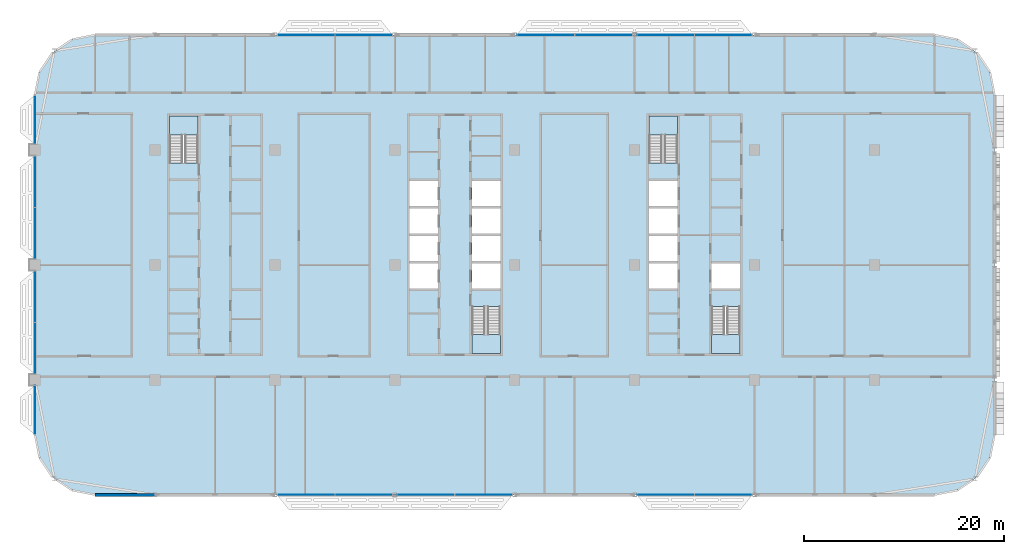
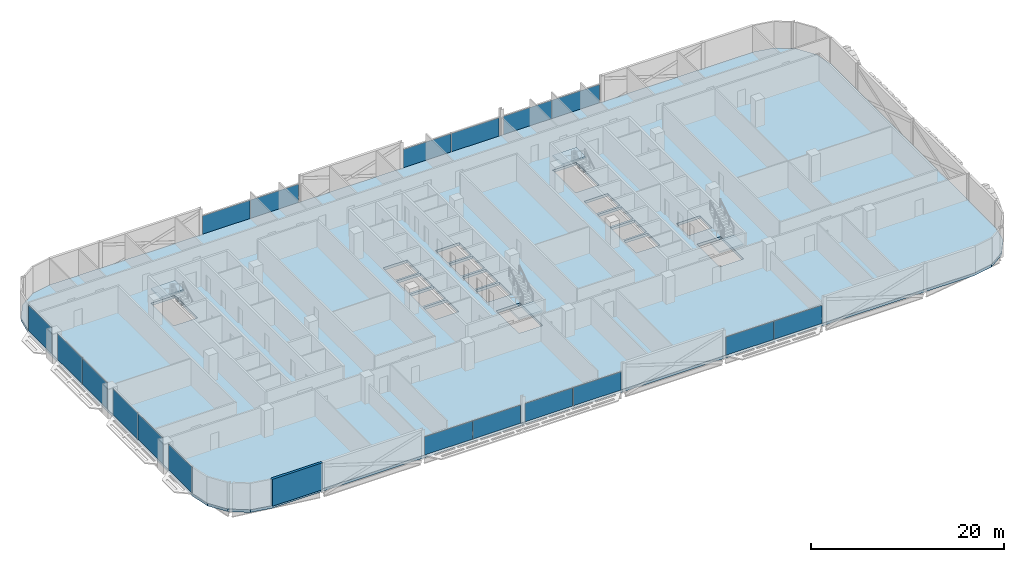
# One storey, part 12 of 30: 18 plates, 5 slabs, 1 wall, 14 elements without a shape of their own.
"""IFC4 building model written with IfcOpenShell, lengths in metres."""

from ifc_helpers import new_model, si_unit, direction, frame, frame_2d, origin, origin_2d, place, context, subcontext, project, spatial, polyline, rectangle, outline, extrude, material, layer, layer_set, type_object, element, aggregate, save


model = new_model("IFC4")

# Units and contexts
model_context = context("Model", 3, precision=1e-05, world=origin(), true_north=direction((0.0, 1.0)))
body_context = subcontext(model_context, "Body", "Model", "MODEL_VIEW")
ifc_project = project(units=[si_unit("LENGTHUNIT", "METRE"), si_unit("AREAUNIT", "SQUARE_METRE"), si_unit("VOLUMEUNIT", "CUBIC_METRE"), si_unit("PLANEANGLEUNIT", "RADIAN"), si_unit("MASSUNIT", "GRAM", prefix="KILO")], contexts=[model_context])

# Site, building, storey
site_placement = place(None, origin())
site = spatial("IfcSite", under=ifc_project, at=site_placement, CompositionType="ELEMENT")
building_placement = place(site_placement, origin())
building = spatial("IfcBuilding", under=site, at=building_placement, Name="Mahtab Terrace Research Tower", CompositionType="ELEMENT")
storey_placement = place(building_placement, frame((0.0, 0.0, 220.5)))
storey = spatial("IfcBuildingStorey", under=building, at=storey_placement, Name="L53", CompositionType="ELEMENT", Elevation=220.5)

# Stair, slab
ifc_material_1 = material(Name="Exit stair half-turn")
stair_type = type_object("IfcStairType", Name="Exit stair half-turn", PredefinedType="HALF_TURN_STAIR", material=ifc_material_1)
stair_1_placement = place(storey_placement, origin())
stair_1 = element("IfcStair", 1, at=stair_1_placement, inside=storey, type_object=stair_type, Name="L53 Protected exit stair ST1", PredefinedType="HALF_TURN_STAIR")
ifc_material_2 = material(Name="Concrete C40/50", Category="concrete")
ifc_layer_1 = layer(ifc_material_2, 0.199951171875)
ifc_layer_set_1 = layer_set([ifc_layer_1], Name="Exit stair landing 200")
slab_type_1 = type_object("IfcSlabType", Name="Exit stair landing 200", PredefinedType="LANDING", material=ifc_layer_set_1)
slab_1_placement = place(storey_placement, frame((0.0, 0.0, 1.699951171875)))
slab_1 = element("IfcSlab", 2, at=slab_1_placement, type_object=slab_type_1, Name="ST1 landing 1", PredefinedType="LANDING", context=body_context, shape_type="SweptSolid", body=[
    extrude(outline(polyline([(-25.699951171875, 12.97509765625), (-25.699951171875, 14.875), (-28.550048828125, 14.875), (-28.550048828125, 12.97509765625), (-25.699951171875, 12.97509765625)])), origin(), (0.0, 0.0, 1.0), 0.199951171875),
])
aggregate(stair_1, [slab_1])

stair_2_placement = place(storey_placement, origin())
stair_2 = element("IfcStair", 3, at=stair_2_placement, inside=storey, type_object=stair_type, Name="L53 Protected exit stair ST2", PredefinedType="HALF_TURN_STAIR")
slab_2_placement = place(storey_placement, frame((0.0, 0.0, 1.699951171875)))
slab_2 = element("IfcSlab", 4, at=slab_2_placement, type_object=slab_type_1, Name="ST2 landing 1", PredefinedType="LANDING", context=body_context, shape_type="SweptSolid", body=[
    extrude(outline(polyline([(1.699951171875, -6.97509765625), (1.699951171875, -8.875), (4.550048828125, -8.875), (4.550048828125, -6.97509765625), (1.699951171875, -6.97509765625)])), origin(), (0.0, 0.0, 1.0), 0.199951171875),
])
aggregate(stair_2, [slab_2])

stair_3_placement = place(storey_placement, origin())
stair_3 = element("IfcStair", 5, at=stair_3_placement, inside=storey, type_object=stair_type, Name="L53 Protected exit stair ST3", PredefinedType="HALF_TURN_STAIR")
slab_3_placement = place(storey_placement, frame((0.0, 0.0, 1.699951171875)))
slab_3 = element("IfcSlab", 6, at=slab_3_placement, type_object=slab_type_1, Name="ST3 landing 1", PredefinedType="LANDING", context=body_context, shape_type="SweptSolid", body=[
    extrude(outline(polyline([(22.300048828125, 12.97509765625), (22.300048828125, 14.875), (19.449951171875, 14.875), (19.449951171875, 12.97509765625), (22.300048828125, 12.97509765625)])), origin(), (0.0, 0.0, 1.0), 0.199951171875),
])
aggregate(stair_3, [slab_3])

stair_4_placement = place(storey_placement, origin())
stair_4 = element("IfcStair", 7, at=stair_4_placement, inside=storey, type_object=stair_type, Name="L53 Protected exit stair ST4", PredefinedType="HALF_TURN_STAIR")
slab_4_placement = place(storey_placement, frame((0.0, 0.0, 1.699951171875)))
slab_4 = element("IfcSlab", 8, at=slab_4_placement, type_object=slab_type_1, Name="ST4 landing 1", PredefinedType="LANDING", context=body_context, shape_type="SweptSolid", body=[
    extrude(outline(polyline([(25.699951171875, -6.97509765625), (25.699951171875, -8.875), (28.550048828125, -8.875), (28.550048828125, -6.97509765625), (25.699951171875, -6.97509765625)])), origin(), (0.0, 0.0, 1.0), 0.199951171875),
])
aggregate(stair_4, [slab_4])

# Curtain wall, plates
ifc_material_3 = material(Name="Laboratory ribbon curtain wall")
curtain_wall_type = type_object("IfcCurtainWallType", Name="Laboratory ribbon curtain wall", PredefinedType="NOTDEFINED", material=ifc_material_3)
curtain_wall_1_placement = place(storey_placement, origin())
curtain_wall_1 = element("IfcCurtainWall", 9, at=curtain_wall_1_placement, inside=storey, type_object=curtain_wall_type, Name="EN.L53.3.5", PredefinedType="NOTDEFINED")
ifc_material_4 = material(Name="Dark glazing", Category="glass")
ifc_layer_2 = layer(ifc_material_4, 0.031982421875)
ifc_layer_set_2 = layer_set([ifc_layer_2], Name="Laboratory ribbon curtain wall glazing panel")
plate_type = type_object("IfcPlateType", Name="Laboratory ribbon curtain wall glazing panel", PredefinedType="CURTAIN_PANEL", material=ifc_layer_set_2)
plate_1_placement = place(storey_placement, frame((26.8837890625, 23.0, 0.0), z_axis=(0.0, 0.0, 1.0), x_axis=(-1.0, 0.0, 0.0)))
plate_1 = element("IfcPlate", 10, at=plate_1_placement, type_object=plate_type, Name="CWL-6 panel 1", PredefinedType="CURTAIN_PANEL", context=body_context, shape_type="SweptSolid", body=[
    extrude(rectangle(XDim=5.702392578125, YDim=0.031982421875, at=origin_2d()), origin(), (0.0, 0.0, 1.0), 2.30126953125),
])
plate_2_placement = place(storey_placement, frame((21.1162109375, 23.0, 0.0), z_axis=(0.0, 0.0, 1.0), x_axis=(-1.0, 0.0, 0.0)))
plate_2 = element("IfcPlate", 11, at=plate_2_placement, type_object=plate_type, Name="CWL-6 panel 2", PredefinedType="CURTAIN_PANEL", context=body_context, shape_type="SweptSolid", body=[
    extrude(rectangle(XDim=5.702392578125, YDim=0.031982421875, at=origin_2d()), origin(), (0.0, 0.0, 1.0), 2.30126953125),
])
aggregate(curtain_wall_1, [plate_1, plate_2])

curtain_wall_2_placement = place(storey_placement, origin())
curtain_wall_2 = element("IfcCurtainWall", 12, at=curtain_wall_2_placement, inside=storey, type_object=curtain_wall_type, Name="EN.L53.3.6", PredefinedType="NOTDEFINED")
plate_3_placement = place(storey_placement, frame((14.8837890625, 23.0, 0.0), z_axis=(0.0, 0.0, 1.0), x_axis=(-1.0, 0.0, 0.0)))
plate_3 = element("IfcPlate", 13, at=plate_3_placement, type_object=plate_type, Name="CWL-6 panel 1", PredefinedType="CURTAIN_PANEL", context=body_context, shape_type="SweptSolid", body=[
    extrude(rectangle(XDim=5.702392578125, YDim=0.031982421875, at=origin_2d()), origin(), (0.0, 0.0, 1.0), 2.30126953125),
])
plate_4_placement = place(storey_placement, frame((9.1162109375, 23.0, 0.0), z_axis=(0.0, 0.0, 1.0), x_axis=(-1.0, 0.0, 0.0)))
plate_4 = element("IfcPlate", 14, at=plate_4_placement, type_object=plate_type, Name="CWL-6 panel 2", PredefinedType="CURTAIN_PANEL", context=body_context, shape_type="SweptSolid", body=[
    extrude(rectangle(XDim=5.702392578125, YDim=0.031982421875, at=origin_2d()), origin(), (0.0, 0.0, 1.0), 2.30126953125),
])
aggregate(curtain_wall_2, [plate_3, plate_4])

curtain_wall_3_placement = place(storey_placement, origin())
curtain_wall_3 = element("IfcCurtainWall", 15, at=curtain_wall_3_placement, inside=storey, type_object=curtain_wall_type, Name="EN.L53.3.8", PredefinedType="NOTDEFINED")
plate_5_placement = place(storey_placement, frame((-9.1162109375, 23.0, 0.0), z_axis=(0.0, 0.0, 1.0), x_axis=(-1.0, 0.0, 0.0)))
plate_5 = element("IfcPlate", 16, at=plate_5_placement, type_object=plate_type, Name="CWL-6 panel 1", PredefinedType="CURTAIN_PANEL", context=body_context, shape_type="SweptSolid", body=[
    extrude(rectangle(XDim=5.702392578125, YDim=0.031982421875, at=origin_2d()), origin(), (0.0, 0.0, 1.0), 2.30126953125),
])
plate_6_placement = place(storey_placement, frame((-14.8837890625, 23.0, 0.0), z_axis=(0.0, 0.0, 1.0), x_axis=(-1.0, 0.0, 0.0)))
plate_6 = element("IfcPlate", 17, at=plate_6_placement, type_object=plate_type, Name="CWL-6 panel 2", PredefinedType="CURTAIN_PANEL", context=body_context, shape_type="SweptSolid", body=[
    extrude(rectangle(XDim=5.702392578125, YDim=0.031982421875, at=origin_2d()), origin(), (0.0, 0.0, 1.0), 2.30126953125),
])
aggregate(curtain_wall_3, [plate_5, plate_6])

# Curtain wall, plate
curtain_wall_4_placement = place(storey_placement, origin())
curtain_wall_4 = element("IfcCurtainWall", 18, at=curtain_wall_4_placement, inside=storey, type_object=curtain_wall_type, Name="EN.L53.8.15", PredefinedType="NOTDEFINED")
plate_7_placement = place(storey_placement, frame((-42.0, 14.52490234375, 0.0), z_axis=(0.0, 0.0, 1.0), x_axis=(0.0, -1.0, 0.0)))
plate_7 = element("IfcPlate", 19, at=plate_7_placement, type_object=plate_type, Name="CWL-6 panel 1", PredefinedType="CURTAIN_PANEL", context=body_context, shape_type="SweptSolid", body=[
    extrude(rectangle(XDim=4.820068359375, YDim=0.031982421875, at=origin_2d()), origin(), (0.0, 0.0, 1.0), 3.300048828125),
])
aggregate(curtain_wall_4, [plate_7])

# Curtain wall, plates
curtain_wall_5_placement = place(storey_placement, origin())
curtain_wall_5 = element("IfcCurtainWall", 20, at=curtain_wall_5_placement, inside=storey, type_object=curtain_wall_type, Name="EN.L53.8.16", PredefinedType="NOTDEFINED")
plate_8_placement = place(storey_placement, frame((-42.0, 8.333740234375, 0.0), z_axis=(0.0, 0.0, 1.0), x_axis=(0.0, -1.0, 0.0)))
plate_8 = element("IfcPlate", 21, at=plate_8_placement, type_object=plate_type, Name="CWL-6 panel 1", PredefinedType="CURTAIN_PANEL", context=body_context, shape_type="SweptSolid", body=[
    extrude(rectangle(XDim=5.1025390625, YDim=0.031982421875, at=origin_2d()), origin(), (0.0, 0.0, 1.0), 3.300048828125),
])
plate_9_placement = place(storey_placement, frame((-42.0, 3.166259765625, 0.0), z_axis=(0.0, 0.0, 1.0), x_axis=(0.0, -1.0, 0.0)))
plate_9 = element("IfcPlate", 22, at=plate_9_placement, type_object=plate_type, Name="CWL-6 panel 2", PredefinedType="CURTAIN_PANEL", context=body_context, shape_type="SweptSolid", body=[
    extrude(rectangle(XDim=5.1025390625, YDim=0.031982421875, at=origin_2d()), origin(), (0.0, 0.0, 1.0), 3.300048828125),
])
aggregate(curtain_wall_5, [plate_8, plate_9])

curtain_wall_6_placement = place(storey_placement, origin())
curtain_wall_6 = element("IfcCurtainWall", 23, at=curtain_wall_6_placement, inside=storey, type_object=curtain_wall_type, Name="EN.L53.8.17", PredefinedType="NOTDEFINED")
plate_10_placement = place(storey_placement, frame((-42.0, -3.166259765625, 0.0), z_axis=(0.0, 0.0, 1.0), x_axis=(0.0, -1.0, 0.0)))
plate_10 = element("IfcPlate", 24, at=plate_10_placement, type_object=plate_type, Name="CWL-6 panel 1", PredefinedType="CURTAIN_PANEL", context=body_context, shape_type="SweptSolid", body=[
    extrude(rectangle(XDim=5.1025390625, YDim=0.031982421875, at=origin_2d()), origin(), (0.0, 0.0, 1.0), 3.300048828125),
])
plate_11_placement = place(storey_placement, frame((-42.0, -8.333740234375, 0.0), z_axis=(0.0, 0.0, 1.0), x_axis=(0.0, -1.0, 0.0)))
plate_11 = element("IfcPlate", 25, at=plate_11_placement, type_object=plate_type, Name="CWL-6 panel 2", PredefinedType="CURTAIN_PANEL", context=body_context, shape_type="SweptSolid", body=[
    extrude(rectangle(XDim=5.1025390625, YDim=0.031982421875, at=origin_2d()), origin(), (0.0, 0.0, 1.0), 3.300048828125),
])
aggregate(curtain_wall_6, [plate_10, plate_11])

# Curtain wall, plate
curtain_wall_7_placement = place(storey_placement, origin())
curtain_wall_7 = element("IfcCurtainWall", 26, at=curtain_wall_7_placement, inside=storey, type_object=curtain_wall_type, Name="EN.L53.8.18", PredefinedType="NOTDEFINED")
plate_12_placement = place(storey_placement, frame((-42.0, -14.52490234375, 0.0), z_axis=(0.0, 0.0, 1.0), x_axis=(0.0, -1.0, 0.0)))
plate_12 = element("IfcPlate", 27, at=plate_12_placement, type_object=plate_type, Name="CWL-6 panel 1", PredefinedType="CURTAIN_PANEL", context=body_context, shape_type="SweptSolid", body=[
    extrude(rectangle(XDim=4.820068359375, YDim=0.031982421875, at=origin_2d()), origin(), (0.0, 0.0, 1.0), 3.300048828125),
])
aggregate(curtain_wall_7, [plate_12])

# Curtain wall, plates
curtain_wall_8_placement = place(storey_placement, origin())
curtain_wall_8 = element("IfcCurtainWall", 28, at=curtain_wall_8_placement, inside=storey, type_object=curtain_wall_type, Name="EN.L53.13.25", PredefinedType="NOTDEFINED")
plate_13_placement = place(storey_placement, frame((-14.8837890625, -23.0, 0.0), z_axis=(0.0, 0.0, 1.0), x_axis=(1.0, 0.0, 0.0)))
plate_13 = element("IfcPlate", 29, at=plate_13_placement, type_object=plate_type, Name="CWL-6 panel 1", PredefinedType="CURTAIN_PANEL", context=body_context, shape_type="SweptSolid", body=[
    extrude(rectangle(XDim=5.702392578125, YDim=0.031982421875, at=origin_2d()), origin(), (0.0, 0.0, 1.0), 2.30126953125),
])
plate_14_placement = place(storey_placement, frame((-9.1162109375, -23.0, 0.0), z_axis=(0.0, 0.0, 1.0), x_axis=(1.0, 0.0, 0.0)))
plate_14 = element("IfcPlate", 30, at=plate_14_placement, type_object=plate_type, Name="CWL-6 panel 2", PredefinedType="CURTAIN_PANEL", context=body_context, shape_type="SweptSolid", body=[
    extrude(rectangle(XDim=5.702392578125, YDim=0.031982421875, at=origin_2d()), origin(), (0.0, 0.0, 1.0), 2.30126953125),
])
aggregate(curtain_wall_8, [plate_13, plate_14])

curtain_wall_9_placement = place(storey_placement, origin())
curtain_wall_9 = element("IfcCurtainWall", 31, at=curtain_wall_9_placement, inside=storey, type_object=curtain_wall_type, Name="EN.L53.13.26", PredefinedType="NOTDEFINED")
plate_15_placement = place(storey_placement, frame((-2.8837890625, -23.0, 0.0), z_axis=(0.0, 0.0, 1.0), x_axis=(1.0, 0.0, 0.0)))
plate_15 = element("IfcPlate", 32, at=plate_15_placement, type_object=plate_type, Name="CWL-6 panel 1", PredefinedType="CURTAIN_PANEL", context=body_context, shape_type="SweptSolid", body=[
    extrude(rectangle(XDim=5.702392578125, YDim=0.031982421875, at=origin_2d()), origin(), (0.0, 0.0, 1.0), 2.30126953125),
])
plate_16_placement = place(storey_placement, frame((2.8837890625, -23.0, 0.0), z_axis=(0.0, 0.0, 1.0), x_axis=(1.0, 0.0, 0.0)))
plate_16 = element("IfcPlate", 33, at=plate_16_placement, type_object=plate_type, Name="CWL-6 panel 2", PredefinedType="CURTAIN_PANEL", context=body_context, shape_type="SweptSolid", body=[
    extrude(rectangle(XDim=5.702392578125, YDim=0.031982421875, at=origin_2d()), origin(), (0.0, 0.0, 1.0), 2.30126953125),
])
aggregate(curtain_wall_9, [plate_15, plate_16])

curtain_wall_10_placement = place(storey_placement, origin())
curtain_wall_10 = element("IfcCurtainWall", 34, at=curtain_wall_10_placement, inside=storey, type_object=curtain_wall_type, Name="EN.L53.13.28", PredefinedType="NOTDEFINED")
plate_17_placement = place(storey_placement, frame((21.1162109375, -23.0, 0.0), z_axis=(0.0, 0.0, 1.0), x_axis=(1.0, 0.0, 0.0)))
plate_17 = element("IfcPlate", 35, at=plate_17_placement, type_object=plate_type, Name="CWL-6 panel 1", PredefinedType="CURTAIN_PANEL", context=body_context, shape_type="SweptSolid", body=[
    extrude(rectangle(XDim=5.702392578125, YDim=0.031982421875, at=origin_2d()), origin(), (0.0, 0.0, 1.0), 2.30126953125),
])
plate_18_placement = place(storey_placement, frame((26.8837890625, -23.0, 0.0), z_axis=(0.0, 0.0, 1.0), x_axis=(1.0, 0.0, 0.0)))
plate_18 = element("IfcPlate", 36, at=plate_18_placement, type_object=plate_type, Name="CWL-6 panel 2", PredefinedType="CURTAIN_PANEL", context=body_context, shape_type="SweptSolid", body=[
    extrude(rectangle(XDim=5.702392578125, YDim=0.031982421875, at=origin_2d()), origin(), (0.0, 0.0, 1.0), 2.30126953125),
])
aggregate(curtain_wall_10, [plate_17, plate_18])

# Slab
ifc_layer_3 = layer(ifc_material_2, 0.340087890625)
ifc_layer_set_3 = layer_set([ifc_layer_3], Name="PT flat slab 340")
slab_type_2 = type_object("IfcSlabType", Name="PT flat slab 340", PredefinedType="FLOOR", material=ifc_layer_set_3)
slab_5_placement = place(storey_placement, frame((0.0, 0.0, -0.340087890625)))
element("IfcSlab", 37, at=slab_5_placement, inside=storey, type_object=slab_type_2, Name="Floor slab L53", PredefinedType="FLOOR", context=body_context, shape_type="SweptSolid", body=[
    extrude(outline(polyline([(53.54296875, 19.2958984375), (52.242919921875, 21.242919921875), (50.2958984375, 22.54296875), (48.0, 23.0), (-36.0, 23.0), (-38.2958984375, 22.54296875), (-40.242919921875, 21.242919921875), (-41.54296875, 19.2958984375), (-42.0, 17.0), (-42.0, -17.0), (-41.54296875, -19.2958984375), (-40.242919921875, -21.242919921875), (-38.2958984375, -22.54296875), (-36.0, -23.0), (48.0, -23.0), (50.2958984375, -22.54296875), (52.242919921875, -21.242919921875), (53.54296875, -19.2958984375), (54.0, -17.0), (54.0, 17.0), (53.54296875, 19.2958984375)]), holes=[polyline([(-4.550048828125, -2.375), (-4.550048828125, 0.125), (-1.699951171875, 0.125), (-1.699951171875, -2.375), (-4.550048828125, -2.375)]), polyline([(1.699951171875, -2.375), (1.699951171875, 0.125), (4.550048828125, 0.125), (4.550048828125, -2.375), (1.699951171875, -2.375)]), polyline([(-4.550048828125, 0.375), (-4.550048828125, 2.875), (-1.699951171875, 2.875), (-1.699951171875, 0.375), (-4.550048828125, 0.375)]), polyline([(1.699951171875, 0.375), (1.699951171875, 2.875), (4.550048828125, 2.875), (4.550048828125, 0.375), (1.699951171875, 0.375)]), polyline([(-4.550048828125, 3.125), (-4.550048828125, 5.625), (-1.699951171875, 5.625), (-1.699951171875, 3.125), (-4.550048828125, 3.125)]), polyline([(1.699951171875, 3.125), (1.699951171875, 5.625), (4.550048828125, 5.625), (4.550048828125, 3.125), (1.699951171875, 3.125)]), polyline([(-4.550048828125, 5.875), (-4.550048828125, 8.375), (-1.699951171875, 8.375), (-1.699951171875, 5.875), (-4.550048828125, 5.875)]), polyline([(1.699951171875, 5.875), (1.699951171875, 8.375), (4.550048828125, 8.375), (4.550048828125, 5.875), (1.699951171875, 5.875)]), polyline([(-28.550048828125, 10.177001953125), (-28.550048828125, 14.875), (-25.699951171875, 14.875), (-25.699951171875, 10.177001953125), (-28.550048828125, 10.177001953125)]), polyline([(1.699951171875, -8.875), (1.699951171875, -4.177001953125), (4.550048828125, -4.177001953125), (4.550048828125, -8.875), (1.699951171875, -8.875)]), polyline([(25.699951171875, -8.875), (25.699951171875, -4.177001953125), (28.550048828125, -4.177001953125), (28.550048828125, -8.875), (25.699951171875, -8.875)]), polyline([(19.449951171875, -2.375), (19.449951171875, 0.125), (22.300048828125, 0.125), (22.300048828125, -2.375), (19.449951171875, -2.375)]), polyline([(25.699951171875, -2.375), (25.699951171875, 0.125), (28.550048828125, 0.125), (28.550048828125, -2.375), (25.699951171875, -2.375)]), polyline([(19.449951171875, 0.375), (19.449951171875, 2.875), (22.300048828125, 2.875), (22.300048828125, 0.375), (19.449951171875, 0.375)]), polyline([(19.449951171875, 3.125), (19.449951171875, 5.625), (22.300048828125, 5.625), (22.300048828125, 3.125), (19.449951171875, 3.125)]), polyline([(19.449951171875, 8.375), (22.300048828125, 8.375), (22.300048828125, 5.875), (19.449951171875, 5.875), (19.449951171875, 8.375)]), polyline([(19.449951171875, 14.875), (22.300048828125, 14.875), (22.300048828125, 10.177001953125), (19.449951171875, 10.177001953125), (19.449951171875, 14.875)])]), origin(), (0.0, 0.0, 1.0), 0.340087890625),
])

# Wall
ifc_material_5 = material(Name="Black aluminium cladding panel", Category="aluminium")
ifc_layer_4 = layer(ifc_material_5, 0.300048828125)
ifc_layer_set_4 = layer_set([ifc_layer_4], Name="Opaque facade wall 300")
wall_type = type_object("IfcWallType", Name="Opaque facade wall 300", PredefinedType="NOTDEFINED", material=ifc_layer_set_4)
wall_placement = place(storey_placement, frame((-36.0, -23.0, 0.0), z_axis=(0.0, 0.0, 1.0), x_axis=(1.0, 0.0, 0.0)))
element("IfcWall", 38, at=wall_placement, inside=storey, type_object=wall_type, Name="Opaque facade wall L53 S23", PredefinedType="NOTDEFINED", context=body_context, shape_type="SweptSolid", body=[
    extrude(rectangle(XDim=5.987548828125, YDim=0.300048828125, at=frame_2d((2.99365234375, 0.0))), origin(), (0.0, 0.0, 1.0), 3.39990234375),
])

save(model, "model.ifc")
